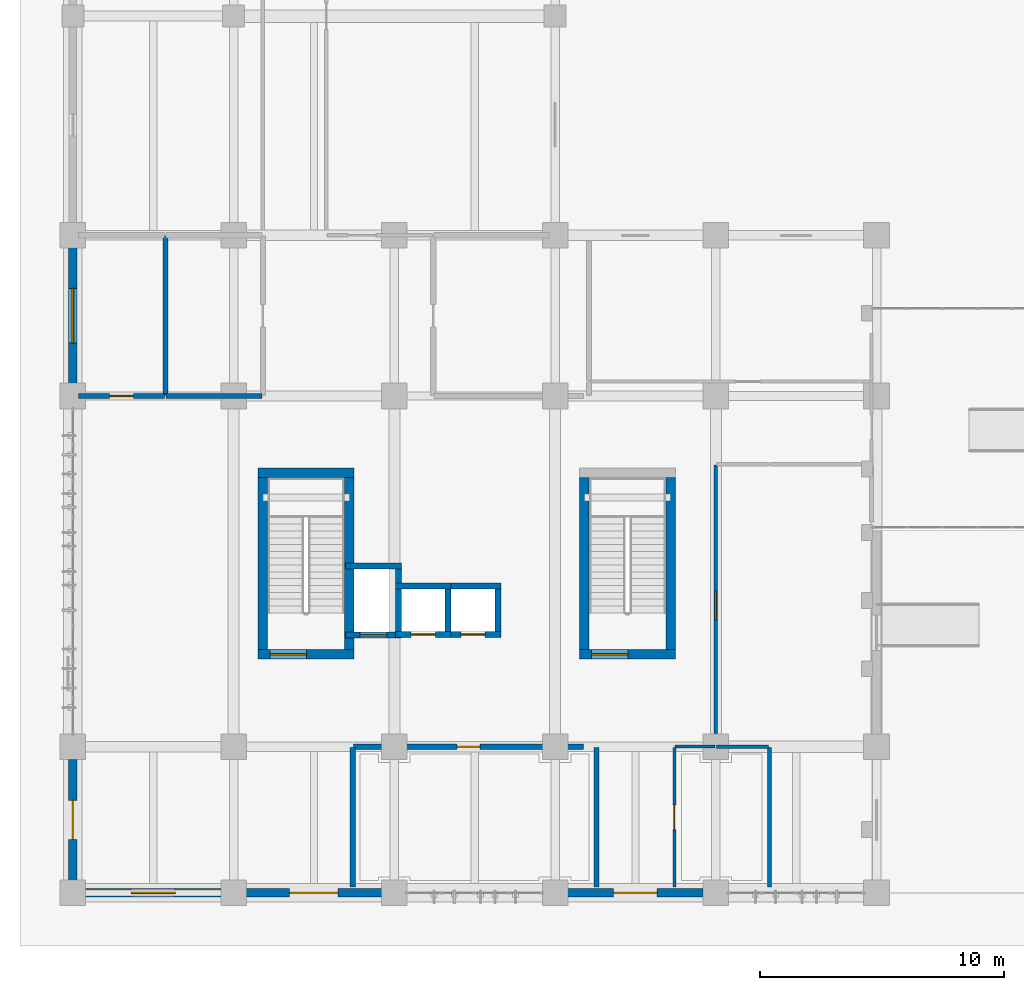
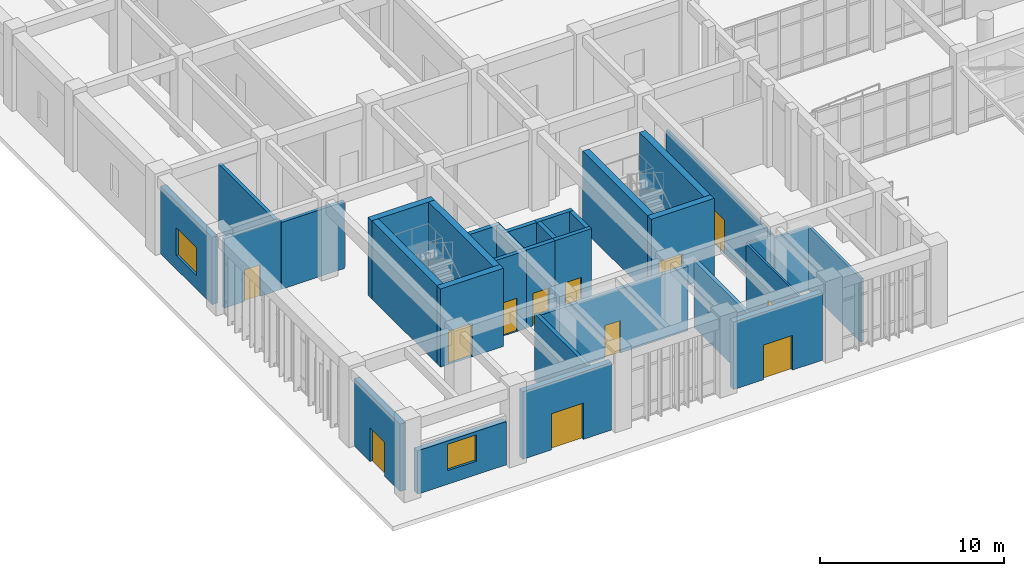
# One storey, part 48 of 70: 32 walls, 12 doors, 2 windows, 14 openings.
"""IFC4 building model written with IfcOpenShell, lengths in metres."""

import ifcopenshell
import ifcopenshell.guid

model = None  # the IFC model being written
_history = None  # IfcOwnerHistory: only IFC2X3 demands one
_inside = {}  # id of a spatial element -> (the spatial element, [elements in it])
_under = {}  # id of a project, library or spatial element -> (it, [spatial elements below it])
_declared = {}  # id of a project -> (the project, [libraries it declares])
_typed = {}  # id of a type object -> (the type object, [elements of that type])
_made_of = {}  # id of a material, layer set ... -> (it, [elements and type objects made of it])


def new_model(schema):
    """Start an empty IFC model of exactly this schema.

    Asked for "IFC4X3", IfcOpenShell would pick the latest addendum, in which some entities
    have other attributes; the version numbers below select the first issue.
    IFC2X3 requires an IfcOwnerHistory on every rooted entity: one is made here for all.
    """
    global model, _history
    if schema == "IFC4X3":
        model = ifcopenshell.file(schema_version=(4, 3, 0, 0))
    else:
        model = ifcopenshell.file(schema=schema)
    _inside.clear()
    _under.clear()
    _declared.clear()
    _typed.clear()
    _made_of.clear()
    _history = None
    if model.schema == "IFC2X3":
        org = make("IfcOrganization", Name="unknown")
        user = make(
            "IfcPersonAndOrganization",
            ThePerson=make("IfcPerson", FamilyName="unknown"),
            TheOrganization=org,
        )
        app = make(
            "IfcApplication",
            ApplicationDeveloper=org,
            Version="unknown",
            ApplicationFullName="unknown",
            ApplicationIdentifier="unknown",
        )
        _history = make(
            "IfcOwnerHistory",
            OwningUser=user,
            OwningApplication=app,
            ChangeAction="ADDED",
            CreationDate=0,
        )
    return model


def make(cls, **values):
    """One entity of the class cls with the attributes given. An attribute that is None is left unset."""
    return model.create_entity(
        cls, **{name: value for name, value in values.items() if value is not None}
    )


def rooted(cls, **values):
    """An entity with a GlobalId (a new one), such as an element, a storey or a relation."""
    return make(cls, GlobalId=ifcopenshell.guid.new(), OwnerHistory=_history, **values)


def si_unit(unit_type, name, prefix=None):
    """IfcSIUnit, for example si_unit("LENGTHUNIT", "METRE", prefix="MILLI")."""
    return make("IfcSIUnit", UnitType=unit_type, Prefix=prefix, Name=name)


def assignment(units):
    """IfcUnitAssignment: the units of a project."""
    return None if units is None else make("IfcUnitAssignment", Units=units)


def point(xyz):
    """IfcCartesianPoint."""
    return None if xyz is None else make("IfcCartesianPoint", Coordinates=xyz)


def direction(xyz):
    """IfcDirection."""
    return None if xyz is None else make("IfcDirection", DirectionRatios=xyz)


def frame(location, z_axis=None, x_axis=None):
    """IfcAxis2Placement3D, a coordinate frame: its origin and axes. An axis left out is left unset."""
    return make(
        "IfcAxis2Placement3D",
        Location=point(location),
        Axis=direction(z_axis),
        RefDirection=direction(x_axis),
    )


def frame_2d(location, x_axis=None):
    """IfcAxis2Placement2D, a coordinate frame in the plane: its origin and x axis."""
    return make(
        "IfcAxis2Placement2D", Location=point(location), RefDirection=direction(x_axis)
    )


def origin():
    """The frame at (0, 0, 0) with its axes left unset."""
    return frame((0.0, 0.0, 0.0))


def place(relative_to, where):
    """IfcLocalPlacement: puts the frame where relative to a parent placement (None: the world)."""
    return make(
        "IfcLocalPlacement", PlacementRelTo=relative_to, RelativePlacement=where
    )


def context(
    kind, dimensions, precision=None, world=None, true_north=None, identifier=None
):
    """IfcGeometricRepresentationContext, for example the 3D "Model" context."""
    return make(
        "IfcGeometricRepresentationContext",
        ContextIdentifier=identifier,
        ContextType=kind,
        CoordinateSpaceDimension=dimensions,
        Precision=precision,
        WorldCoordinateSystem=world,
        TrueNorth=true_north,
    )


def subcontext(parent, identifier, kind, view, scale=None):
    """IfcGeometricRepresentationSubContext, for example "Body" below "Model"."""
    return make(
        "IfcGeometricRepresentationSubContext",
        ContextIdentifier=identifier,
        ContextType=kind,
        ParentContext=parent,
        TargetScale=scale,
        TargetView=view,
    )


def project(units=None, contexts=None):
    """IfcProject with its units and contexts."""
    return rooted(
        "IfcProject",
        Name="project",
        RepresentationContexts=contexts,
        UnitsInContext=assignment(units),
    )


def spatial(cls, under=None, at=None, **own):
    """A site, building, storey or space (cls), placed at a placement, below another one or the project."""
    s = rooted(cls, ObjectPlacement=at, **own)
    if under is not None:
        _under.setdefault(under.id(), (under, []))[1].append(s)
    return s


def profile(cls, at=None, kind="AREA", **sizes):
    """A parametric profile (cls). Its sizes go by their IFC names, for example OverallWidth=200.0."""
    return make(cls, ProfileType=kind, Position=at, **sizes)


def rectangle(**sizes):
    """IfcRectangleProfileDef."""
    return profile("IfcRectangleProfileDef", **sizes)


def extrude(swept, where, along, depth):
    """IfcExtrudedAreaSolid: the profile swept, set in the frame where, extruded along a direction by depth."""
    return make(
        "IfcExtrudedAreaSolid",
        SweptArea=swept,
        Position=where,
        ExtrudedDirection=direction(along),
        Depth=depth,
    )


def shape(context_of_items, identifier, shape_type, items):
    """IfcShapeRepresentation: the items that make up one representation, for example the "Body"."""
    return make(
        "IfcShapeRepresentation",
        ContextOfItems=context_of_items,
        RepresentationIdentifier=identifier,
        RepresentationType=shape_type,
        Items=items,
    )


def material(Name=None, Category=None):
    """IfcMaterial."""
    return make("IfcMaterial", Name=Name, Category=Category)


def layer(
    of_material, thickness, ventilated=None, Name=None, Category=None, Priority=None
):
    """IfcMaterialLayer: one layer of a wall or slab, of a material (None: an air gap)."""
    return make(
        "IfcMaterialLayer",
        Material=of_material,
        LayerThickness=thickness,
        IsVentilated=ventilated,
        Name=Name,
        Category=Category,
        Priority=Priority,
    )


def layer_set(layers, Name=None):
    """IfcMaterialLayerSet."""
    return make("IfcMaterialLayerSet", MaterialLayers=layers, LayerSetName=Name)


def made_of(thing, what):
    """Note that an element or type object is made of a material, layer set ...; save() writes the relation."""
    if what is not None:
        _made_of.setdefault(what.id(), (what, []))[1].append(thing)
    return thing


def type_object(cls, material=None, **own):
    """A type object (cls), such as IfcWallType, which elements share."""
    return made_of(rooted(cls, **own), material)


def element(
    cls,
    number,
    at=None,
    inside=None,
    cuts=None,
    type_object=None,
    material=None,
    context=None,
    identifier="Body",
    shape_type=None,
    held_by="IfcProductDefinitionShape",
    body=None,
    shapes=None,
    **own,
):
    """One element of the class cls, such as IfcWall. Its Tag is "e" and its number.

    at: its placement. inside: the storey or other place that contains it. cuts: it is an
    opening in that element (IfcRelVoidsElement). A single representation is given by context,
    identifier, shape_type and body (its items); several are given by shapes. held_by: the class
    of the entity that holds the representations. save() writes the other relations.
    """
    e = rooted(cls, Tag="e%d" % number, ObjectPlacement=at, **own)
    if body is not None:
        shapes = [shape(context, identifier, shape_type, body)]
    if shapes is not None:
        e.Representation = make(held_by, Representations=shapes)
    if inside is not None:
        _inside.setdefault(inside.id(), (inside, []))[1].append(e)
    if cuts is not None:
        rooted(
            "IfcRelVoidsElement", RelatingBuildingElement=cuts, RelatedOpeningElement=e
        )
    if type_object is not None:
        _typed.setdefault(type_object.id(), (type_object, []))[1].append(e)
    return made_of(e, material)


def fill(opening, filler):
    """IfcRelFillsElement: the door or window that sits in an opening."""
    return rooted(
        "IfcRelFillsElement",
        RelatingOpeningElement=opening,
        RelatedBuildingElement=filler,
    )


def aggregate(whole, parts):
    """IfcRelAggregates: a whole, such as a stair, and the parts it consists of."""
    return rooted("IfcRelAggregates", RelatingObject=whole, RelatedObjects=parts)


def save(model, path):
    """Write the relations noted so far, then the file.

    IfcRelAggregates (storeys below a building ...), IfcRelContainedInSpatialStructure (elements
    in a storey), IfcRelDefinesByType, IfcRelAssociatesMaterial and IfcRelDeclares: one each for
    every whole, place, type object, material and project.
    """
    for whole, parts in _under.values():
        aggregate(whole, parts)
    for where, things in _inside.values():
        rooted(
            "IfcRelContainedInSpatialStructure",
            RelatedElements=things,
            RelatingStructure=where,
        )
    for kind, things in _typed.values():
        rooted("IfcRelDefinesByType", RelatedObjects=things, RelatingType=kind)
    for what, things in _made_of.values():
        rooted("IfcRelAssociatesMaterial", RelatedObjects=things, RelatingMaterial=what)
    for by, libraries in _declared.values():
        rooted("IfcRelDeclares", RelatingContext=by, RelatedDefinitions=libraries)
    model.write(path)


model = new_model("IFC4")

# Units and contexts
model_context = context("Model", 3, precision=1e-05, world=origin(), true_north=direction((0.0, 1.0)))
body_context = subcontext(model_context, "Body", "Model", "MODEL_VIEW")
ifc_project = project(units=[si_unit("LENGTHUNIT", "METRE"), si_unit("AREAUNIT", "SQUARE_METRE"), si_unit("VOLUMEUNIT", "CUBIC_METRE"), si_unit("PLANEANGLEUNIT", "RADIAN"), si_unit("MASSUNIT", "GRAM", prefix="KILO")], contexts=[model_context])

# Site, building, storey
site_placement = place(None, origin())
site = spatial("IfcSite", under=ifc_project, at=site_placement, CompositionType="ELEMENT")
building_placement = place(site_placement, origin())
building = spatial("IfcBuilding", under=site, at=building_placement, Name="Miralva Faculty of Natural Sciences", CompositionType="ELEMENT")
storey_placement = place(building_placement, origin())
storey = spatial("IfcBuildingStorey", under=building, at=storey_placement, Name="L00", CompositionType="ELEMENT", Elevation=0.0)

# Wall, opening, door
ifc_material_1 = material(Name="Concrete C50/60", Category="concrete")
ifc_layer_1 = layer(ifc_material_1, 0.39990234375, Name="WL-CW01")
ifc_layer_set_1 = layer_set([ifc_layer_1], Name="Concrete C50/60")
wall_type_1 = type_object("IfcWallType", Name="WL-CW01", PredefinedType="SHEAR", material=ifc_layer_set_1)
wall_1_placement = place(storey_placement, frame((10.60009765625, 12.800048828125, 0.0), z_axis=(0.0, 0.0, 1.0), x_axis=(1.0, 0.0, 0.0)))
wall_1 = element("IfcWall", 1, at=wall_1_placement, inside=storey, type_object=wall_type_1, Name="Core C1 shear wall south L00", PredefinedType="SHEAR", context=body_context, shape_type="SweptSolid", body=[
    extrude(rectangle(XDim=3.949951171875, YDim=0.39990234375, at=frame_2d((1.97509765625, 0.0))), origin(), (0.0, 0.0, 1.0), 5.179931640625),
])
opening_1_placement = place(wall_1_placement, frame((0.5, 0.0, 0.0)))
opening_1 = element("IfcOpeningElement", 2, at=opening_1_placement, cuts=wall_1, Name="Opening D-11", PredefinedType="OPENING", context=body_context, shape_type="SweptSolid", body=[
    extrude(rectangle(XDim=1.5, YDim=2.199951171875, at=frame_2d((0.75, 1.10009765625))), frame((0.0, 0.2099609375, 0.0), z_axis=(0.0, -1.0, 0.0), x_axis=(1.0, 0.0, 0.0)), (0.0, 0.0, 1.0), 0.419921875),
])
ifc_material_2 = material(Name="Galvanised steel", Category="steel")
door_type_1 = type_object("IfcDoorType", Name="DR-DI11", OperationType="DOUBLE_DOOR_SINGLE_SWING", PredefinedType="DOOR", material=ifc_material_2)
door_1_placement = place(opening_1_placement, frame((1.5, 0.0, 0.0), z_axis=(0.0, 0.0, 1.0), x_axis=(-1.0, 0.0, 0.0)))
door_1 = element("IfcDoor", 3, at=door_1_placement, inside=storey, type_object=door_type_1, Name="Protected exit stair door Core C1 L00", OperationType="DOUBLE_DOOR_SINGLE_SWING", OverallHeight=2.199951171875, OverallWidth=1.5, PredefinedType="DOOR", context=body_context, shape_type="SweptSolid", body=[
    extrude(rectangle(XDim=1.5, YDim=2.199951171875, at=frame_2d((0.75, 1.10009765625))), frame((0.0, 0.02490234375, 0.0), z_axis=(0.0, -1.0, 0.0), x_axis=(1.0, 0.0, 0.0)), (0.0, 0.0, 1.0), 0.050048828125),
])
fill(opening_1, door_1)

# Walls
wall_2_placement = place(storey_placement, frame((10.60009765625, 20.25, 0.0), z_axis=(0.0, 0.0, 1.0), x_axis=(1.0, 0.0, 0.0)))
element("IfcWall", 4, at=wall_2_placement, inside=storey, type_object=wall_type_1, Name="Core C1 shear wall north L00", PredefinedType="SHEAR", context=body_context, shape_type="SweptSolid", body=[
    extrude(rectangle(XDim=3.949951171875, YDim=0.39990234375, at=frame_2d((1.97509765625, 0.0))), origin(), (0.0, 0.0, 1.0), 5.179931640625),
])
for number, where, z_axis, x_axis, name in (
    (5, (10.800048828125, 13.0, 0.0), (0.0, 0.0, 1.0), (0.0, 1.0, 0.0), "Core C1 shear wall west L00"),
    (6, (14.35009765625, 13.0, 0.0), (0.0, 0.0, 1.0), (0.0, 1.0, 0.0), "Core C1 shear wall east L00"),
):
    element("IfcWall", number, at=place(storey_placement, frame(where, z_axis=z_axis, x_axis=x_axis)), inside=storey, type_object=wall_type_1, Name=name, PredefinedType="SHEAR", context=body_context, shape_type="SweptSolid", body=[
        extrude(rectangle(XDim=7.050048828125, YDim=0.39990234375, at=frame_2d((3.52490234375, 0.0))), origin(), (0.0, 0.0, 1.0), 5.179931640625),
    ])

# Wall, opening, door
wall_3_placement = place(storey_placement, frame((23.800048828125, 12.800048828125, 0.0), z_axis=(0.0, 0.0, 1.0), x_axis=(1.0, 0.0, 0.0)))
wall_3 = element("IfcWall", 7, at=wall_3_placement, inside=storey, type_object=wall_type_1, Name="Core C1B shear wall south L00", PredefinedType="SHEAR", context=body_context, shape_type="SweptSolid", body=[
    extrude(rectangle(XDim=3.949951171875, YDim=0.39990234375, at=frame_2d((1.97509765625, 0.0))), origin(), (0.0, 0.0, 1.0), 5.179931640625),
])
opening_2_placement = place(wall_3_placement, frame((0.5, 0.0, 0.0)))
opening_2 = element("IfcOpeningElement", 8, at=opening_2_placement, cuts=wall_3, Name="Opening D-11", PredefinedType="OPENING", context=body_context, shape_type="SweptSolid", body=[
    extrude(rectangle(XDim=1.5, YDim=2.199951171875, at=frame_2d((0.75, 1.10009765625))), frame((0.0, 0.2099609375, 0.0), z_axis=(0.0, -1.0, 0.0), x_axis=(1.0, 0.0, 0.0)), (0.0, 0.0, 1.0), 0.419921875),
])
door_2_placement = place(opening_2_placement, frame((1.5, 0.0, 0.0), z_axis=(0.0, 0.0, 1.0), x_axis=(-1.0, 0.0, 0.0)))
door_2 = element("IfcDoor", 9, at=door_2_placement, inside=storey, type_object=door_type_1, Name="Protected exit stair door Core C1B L00", OperationType="DOUBLE_DOOR_SINGLE_SWING", OverallHeight=2.199951171875, OverallWidth=1.5, PredefinedType="DOOR", context=body_context, shape_type="SweptSolid", body=[
    extrude(rectangle(XDim=1.5, YDim=2.199951171875, at=frame_2d((0.75, 1.10009765625))), frame((0.0, 0.02490234375, 0.0), z_axis=(0.0, -1.0, 0.0), x_axis=(1.0, 0.0, 0.0)), (0.0, 0.0, 1.0), 0.050048828125),
])
fill(opening_2, door_2)

# Walls
for number, where, z_axis, x_axis, name in (
    (10, (24.0, 13.0, 0.0), (0.0, 0.0, 1.0), (0.0, 1.0, 0.0), "Core C1B shear wall west L00"),
    (11, (27.550048828125, 13.0, 0.0), (0.0, 0.0, 1.0), (0.0, 1.0, 0.0), "Core C1B shear wall east L00"),
):
    element("IfcWall", number, at=place(storey_placement, frame(where, z_axis=z_axis, x_axis=x_axis)), inside=storey, type_object=wall_type_1, Name=name, PredefinedType="SHEAR", context=body_context, shape_type="SweptSolid", body=[
        extrude(rectangle(XDim=7.050048828125, YDim=0.39990234375, at=frame_2d((3.52490234375, 0.0))), origin(), (0.0, 0.0, 1.0), 5.179931640625),
    ])

# Wall, opening, door
ifc_material_3 = material(Name="Concrete C40/50", Category="concrete")
ifc_layer_2 = layer(ifc_material_3, 0.25, Name="WL-CW04")
ifc_layer_set_2 = layer_set([ifc_layer_2], Name="Concrete C40/50")
wall_type_2 = type_object("IfcWallType", Name="WL-CW04", PredefinedType="SHEAR", material=ifc_layer_set_2)
wall_4_placement = place(storey_placement, frame((14.205078125, 13.580078125, 0.0), z_axis=(0.0, 0.0, 1.0), x_axis=(1.0, 0.0, 0.0)))
wall_4 = element("IfcWall", 12, at=wall_4_placement, inside=storey, type_object=wall_type_2, Name="Lift L-01 hoistway front wall L00", PredefinedType="SHEAR", context=body_context, shape_type="SweptSolid", body=[
    extrude(rectangle(XDim=2.2900390625, YDim=0.25, at=frame_2d((1.14501953125, 0.0))), origin(), (0.0, 0.0, 1.0), 5.159912109375),
])
opening_3_placement = place(wall_4_placement, frame((0.594970703125, 0.0, 0.0)))
opening_3 = element("IfcOpeningElement", 13, at=opening_3_placement, cuts=wall_4, Name="Opening LD-01", PredefinedType="OPENING", context=body_context, shape_type="SweptSolid", body=[
    extrude(rectangle(XDim=1.10009765625, YDim=2.199951171875, at=frame_2d((0.550048828125, 1.10009765625))), frame((0.0, 0.135009765625, 0.0), z_axis=(0.0, -1.0, 0.0), x_axis=(1.0, 0.0, 0.0)), (0.0, 0.0, 1.0), 0.27001953125),
])
door_type_2 = type_object("IfcDoorType", Name="DR-LD01", OperationType="SLIDING_TO_LEFT", PredefinedType="DOOR", material=ifc_material_2)
door_3_placement = place(opening_3_placement, frame((1.10009765625, 0.0, 0.0), z_axis=(0.0, 0.0, 1.0), x_axis=(-1.0, 0.0, 0.0)))
door_3 = element("IfcDoor", 14, at=door_3_placement, inside=storey, type_object=door_type_2, Name="Lift L-01 sliding landing door L00", OperationType="SLIDING_TO_LEFT", OverallHeight=2.199951171875, OverallWidth=1.10009765625, PredefinedType="DOOR", context=body_context, shape_type="SweptSolid", body=[
    extrude(rectangle(XDim=1.10009765625, YDim=2.199951171875, at=frame_2d((0.550048828125, 1.10009765625))), frame((0.0, 0.02490234375, 0.0), z_axis=(0.0, -1.0, 0.0), x_axis=(1.0, 0.0, 0.0)), (0.0, 0.0, 1.0), 0.050048828125),
])
fill(opening_3, door_3)

# Walls
wall_5_placement = place(storey_placement, frame((14.205078125, 16.419921875, 0.0), z_axis=(0.0, 0.0, 1.0), x_axis=(1.0, 0.0, 0.0)))
element("IfcWall", 15, at=wall_5_placement, inside=storey, type_object=wall_type_2, Name="Lift L-01 hoistway rear wall L00", PredefinedType="SHEAR", context=body_context, shape_type="SweptSolid", body=[
    extrude(rectangle(XDim=2.2900390625, YDim=0.25, at=frame_2d((1.14501953125, 0.0))), origin(), (0.0, 0.0, 1.0), 5.159912109375),
])
wall_6_placement = place(storey_placement, frame((16.3701171875, 13.705078125, 0.0), z_axis=(0.0, 0.0, 1.0), x_axis=(0.0, 1.0, 0.0)))
element("IfcWall", 16, at=wall_6_placement, inside=storey, type_object=wall_type_2, Name="Lift L-01 hoistway E wall L00", PredefinedType="SHEAR", context=body_context, shape_type="SweptSolid", body=[
    extrude(rectangle(XDim=2.58984375, YDim=0.25, at=frame_2d((1.294921875, 0.0))), origin(), (0.0, 0.0, 1.0), 5.159912109375),
])

# Wall, opening, door
wall_7_placement = place(storey_placement, frame((16.2451171875, 13.60498046875, 0.0), z_axis=(0.0, 0.0, 1.0), x_axis=(1.0, 0.0, 0.0)))
wall_7 = element("IfcWall", 17, at=wall_7_placement, inside=storey, type_object=wall_type_2, Name="Lift L-02 hoistway front wall L00", PredefinedType="SHEAR", context=body_context, shape_type="SweptSolid", body=[
    extrude(rectangle(XDim=2.289794921875, YDim=0.25, at=frame_2d((1.14501953125, 0.0))), origin(), (0.0, 0.0, 1.0), 5.159912109375),
])
opening_4_placement = place(wall_7_placement, frame((0.64501953125, 0.0, 0.0)))
opening_4 = element("IfcOpeningElement", 18, at=opening_4_placement, cuts=wall_7, Name="Opening LD-02", PredefinedType="OPENING", context=body_context, shape_type="SweptSolid", body=[
    extrude(rectangle(XDim=1.0, YDim=2.14990234375, at=frame_2d((0.5, 1.074951171875))), frame((0.0, 0.135009765625, 0.0), z_axis=(0.0, -1.0, 0.0), x_axis=(1.0, 0.0, 0.0)), (0.0, 0.0, 1.0), 0.27001953125),
])
door_type_3 = type_object("IfcDoorType", Name="DR-LD02", OperationType="SLIDING_TO_LEFT", PredefinedType="DOOR", material=ifc_material_2)
door_4_placement = place(opening_4_placement, frame((1.0, 0.0, 0.0), z_axis=(0.0, 0.0, 1.0), x_axis=(-1.0, 0.0, 0.0)))
door_4 = element("IfcDoor", 19, at=door_4_placement, inside=storey, type_object=door_type_3, Name="Lift L-02 sliding landing door L00", OperationType="SLIDING_TO_LEFT", OverallHeight=2.14990234375, OverallWidth=1.0, PredefinedType="DOOR", context=body_context, shape_type="SweptSolid", body=[
    extrude(rectangle(XDim=1.0, YDim=2.14990234375, at=frame_2d((0.5, 1.074951171875))), frame((0.0, 0.02490234375, 0.0), z_axis=(0.0, -1.0, 0.0), x_axis=(1.0, 0.0, 0.0)), (0.0, 0.0, 1.0), 0.050048828125),
])
fill(opening_4, door_4)

# Walls
wall_8_placement = place(storey_placement, frame((16.2451171875, 15.594970703125, 0.0), z_axis=(0.0, 0.0, 1.0), x_axis=(1.0, 0.0, 0.0)))
element("IfcWall", 20, at=wall_8_placement, inside=storey, type_object=wall_type_2, Name="Lift L-02 hoistway rear wall L00", PredefinedType="SHEAR", context=body_context, shape_type="SweptSolid", body=[
    extrude(rectangle(XDim=2.289794921875, YDim=0.25, at=frame_2d((1.14501953125, 0.0))), origin(), (0.0, 0.0, 1.0), 5.159912109375),
])
wall_9_placement = place(storey_placement, frame((18.409912109375, 13.72998046875, 0.0), z_axis=(0.0, 0.0, 1.0), x_axis=(0.0, 1.0, 0.0)))
element("IfcWall", 21, at=wall_9_placement, inside=storey, type_object=wall_type_2, Name="Lift L-02 hoistway E wall L00", PredefinedType="SHEAR", context=body_context, shape_type="SweptSolid", body=[
    extrude(rectangle(XDim=1.739990234375, YDim=0.25, at=frame_2d((0.8701171875, 0.0))), origin(), (0.0, 0.0, 1.0), 5.159912109375),
])

# Wall, opening, door
wall_10_placement = place(storey_placement, frame((18.284912109375, 13.60498046875, 0.0), z_axis=(0.0, 0.0, 1.0), x_axis=(1.0, 0.0, 0.0)))
wall_10 = element("IfcWall", 22, at=wall_10_placement, inside=storey, type_object=wall_type_2, Name="Lift L-03 hoistway front wall L00", PredefinedType="SHEAR", context=body_context, shape_type="SweptSolid", body=[
    extrude(rectangle(XDim=2.2900390625, YDim=0.25, at=frame_2d((1.14501953125, 0.0))), origin(), (0.0, 0.0, 1.0), 5.159912109375),
])
opening_5_placement = place(wall_10_placement, frame((0.64501953125, 0.0, 0.0)))
opening_5 = element("IfcOpeningElement", 23, at=opening_5_placement, cuts=wall_10, Name="Opening LD-02", PredefinedType="OPENING", context=body_context, shape_type="SweptSolid", body=[
    extrude(rectangle(XDim=1.0, YDim=2.14990234375, at=frame_2d((0.5, 1.074951171875))), frame((0.0, 0.135009765625, 0.0), z_axis=(0.0, -1.0, 0.0), x_axis=(1.0, 0.0, 0.0)), (0.0, 0.0, 1.0), 0.27001953125),
])
door_5_placement = place(opening_5_placement, frame((1.0, 0.0, 0.0), z_axis=(0.0, 0.0, 1.0), x_axis=(-1.0, 0.0, 0.0)))
door_5 = element("IfcDoor", 24, at=door_5_placement, inside=storey, type_object=door_type_3, Name="Lift L-03 sliding landing door L00", OperationType="SLIDING_TO_LEFT", OverallHeight=2.14990234375, OverallWidth=1.0, PredefinedType="DOOR", context=body_context, shape_type="SweptSolid", body=[
    extrude(rectangle(XDim=1.0, YDim=2.14990234375, at=frame_2d((0.5, 1.074951171875))), frame((0.0, 0.02490234375, 0.0), z_axis=(0.0, -1.0, 0.0), x_axis=(1.0, 0.0, 0.0)), (0.0, 0.0, 1.0), 0.050048828125),
])
fill(opening_5, door_5)

# Walls
wall_11_placement = place(storey_placement, frame((18.284912109375, 15.594970703125, 0.0), z_axis=(0.0, 0.0, 1.0), x_axis=(1.0, 0.0, 0.0)))
element("IfcWall", 25, at=wall_11_placement, inside=storey, type_object=wall_type_2, Name="Lift L-03 hoistway rear wall L00", PredefinedType="SHEAR", context=body_context, shape_type="SweptSolid", body=[
    extrude(rectangle(XDim=2.2900390625, YDim=0.25, at=frame_2d((1.14501953125, 0.0))), origin(), (0.0, 0.0, 1.0), 5.159912109375),
])
wall_12_placement = place(storey_placement, frame((20.449951171875, 13.72998046875, 0.0), z_axis=(0.0, 0.0, 1.0), x_axis=(0.0, 1.0, 0.0)))
element("IfcWall", 26, at=wall_12_placement, inside=storey, type_object=wall_type_2, Name="Lift L-03 hoistway E wall L00", PredefinedType="SHEAR", context=body_context, shape_type="SweptSolid", body=[
    extrude(rectangle(XDim=1.739990234375, YDim=0.25, at=frame_2d((0.8701171875, 0.0))), origin(), (0.0, 0.0, 1.0), 5.159912109375),
])
ifc_material_4 = material(Name="Concrete C35/45", Category="concrete")
ifc_layer_3 = layer(ifc_material_4, 0.219970703125, Name="WL-PT01")
ifc_layer_set_3 = layer_set([ifc_layer_3], Name="Concrete C35/45")
wall_type_3 = type_object("IfcWallType", Name="WL-PT01", PredefinedType="PARTITIONING", material=ifc_layer_set_3)
for number, where, z_axis, x_axis, name in (
    (27, (24.5, 3.22998046875, 0.0), (0.0, 0.0, 1.0), (0.0, 1.0, 0.0), "Interior partition PT-01 L00-38"),
    (28, (14.5, 3.22998046875, 0.0), (0.0, 0.0, 1.0), (0.0, 1.0, 0.0), "Interior partition PT-01 L00-39"),
):
    element("IfcWall", number, at=place(storey_placement, frame(where, z_axis=z_axis, x_axis=x_axis)), inside=storey, type_object=wall_type_3, Name=name, PredefinedType="PARTITIONING", context=body_context, shape_type="SweptSolid", body=[
        extrude(rectangle(XDim=5.739990234375, YDim=0.219970703125, at=frame_2d((2.8701171875, 0.0))), origin(), (0.0, 0.0, 1.0), 4.425048828125),
    ])

# Wall, opening, door
wall_13_placement = place(storey_placement, frame((14.530029296875, 9.0, 0.0), z_axis=(0.0, 0.0, 1.0), x_axis=(1.0, 0.0, 0.0)))
wall_13 = element("IfcWall", 29, at=wall_13_placement, inside=storey, type_object=wall_type_3, Name="Interior partition PT-01 L00-40", PredefinedType="PARTITIONING", context=body_context, shape_type="SweptSolid", body=[
    extrude(rectangle(XDim=9.43994140625, YDim=0.219970703125, at=frame_2d((4.719970703125, 0.0))), origin(), (0.0, 0.0, 1.0), 4.2548828125),
])
opening_6_placement = place(wall_13_placement, frame((4.2451171875, 0.0, 0.0)))
opening_6 = element("IfcOpeningElement", 30, at=opening_6_placement, cuts=wall_13, Name="Opening D-17", PredefinedType="OPENING", context=body_context, shape_type="SweptSolid", body=[
    extrude(rectangle(XDim=0.949951171875, YDim=2.14990234375, at=frame_2d((0.47509765625, 1.074951171875))), frame((0.0, 0.119873046875, 0.0), z_axis=(0.0, -1.0, 0.0), x_axis=(1.0, 0.0, 0.0)), (0.0, 0.0, 1.0), 0.239990234375),
])
door_type_4 = type_object("IfcDoorType", Name="DR-DI17", OperationType="NOTDEFINED", PredefinedType="DOOR", material=ifc_material_2)
door_6_placement = place(opening_6_placement, origin())
door_6 = element("IfcDoor", 31, at=door_6_placement, inside=storey, type_object=door_type_4, Name="Interior door D-17 L00-19", OperationType="SINGLE_SWING_RIGHT", OverallHeight=2.14990234375, OverallWidth=0.949951171875, PredefinedType="DOOR", context=body_context, shape_type="SweptSolid", body=[
    extrude(rectangle(XDim=0.949951171875, YDim=2.14990234375, at=frame_2d((0.47509765625, 1.074951171875))), frame((0.0, 0.02490234375, 0.0), z_axis=(0.0, -1.0, 0.0), x_axis=(1.0, 0.0, 0.0)), (0.0, 0.0, 1.0), 0.050048828125),
])
fill(opening_6, door_6)

# Walls
ifc_material_5 = material(Name="Gypsum plasterboard")
ifc_layer_4 = layer(ifc_material_5, 0.159912109375, Name="WL-PT03")
ifc_layer_set_4 = layer_set([ifc_layer_4], Name="Gypsum plasterboard")
wall_type_4 = type_object("IfcWallType", Name="WL-PT03", PredefinedType="PARTITIONING", material=ifc_layer_set_4)
wall_14_placement = place(storey_placement, frame((29.429931640625, 9.0, 0.0), z_axis=(0.0, 0.0, 1.0), x_axis=(1.0, 0.0, 0.0)))
element("IfcWall", 32, at=wall_14_placement, inside=storey, type_object=wall_type_4, Name="Interior partition PT-03 L00-41", PredefinedType="PARTITIONING", context=body_context, shape_type="SweptSolid", body=[
    extrude(rectangle(XDim=2.14013671875, YDim=0.159912109375, at=frame_2d((1.070068359375, 0.0))), origin(), (0.0, 0.0, 1.0), 4.215087890625),
])
wall_15_placement = place(storey_placement, frame((31.60009765625, 3.22998046875, 0.0), z_axis=(0.0, 0.0, 1.0), x_axis=(0.0, 1.0, 0.0)))
element("IfcWall", 33, at=wall_15_placement, inside=storey, type_object=wall_type_4, Name="Interior partition PT-03 L00-42", PredefinedType="PARTITIONING", context=body_context, shape_type="SweptSolid", body=[
    extrude(rectangle(XDim=5.739990234375, YDim=0.159912109375, at=frame_2d((2.8701171875, 0.0))), origin(), (0.0, 0.0, 1.0), 4.215087890625),
])

# Wall, opening, door
wall_16_placement = place(storey_placement, frame((29.39990234375, 9.030029296875, 0.0), z_axis=(0.0, 0.0, 1.0), x_axis=(0.0, 1.0, 0.0)))
wall_16 = element("IfcWall", 34, at=wall_16_placement, inside=storey, type_object=wall_type_4, Name="Interior partition PT-03 L00-45", PredefinedType="PARTITIONING", context=body_context, shape_type="SweptSolid", body=[
    extrude(rectangle(XDim=11.5400390625, YDim=0.159912109375, at=frame_2d((5.77001953125, 0.0))), origin(), (0.0, 0.0, 1.0), 4.324951171875),
])
opening_7_placement = place(wall_16_placement, frame((5.179931640625, 0.0, 0.0)))
opening_7 = element("IfcOpeningElement", 35, at=opening_7_placement, cuts=wall_16, Name="Opening D-34", PredefinedType="OPENING", context=body_context, shape_type="SweptSolid", body=[
    extrude(rectangle(XDim=1.179931640625, YDim=2.199951171875, at=frame_2d((0.58984375, 1.10009765625))), frame((0.0, 0.08984375, 0.0), z_axis=(0.0, -1.0, 0.0), x_axis=(1.0, 0.0, 0.0)), (0.0, 0.0, 1.0), 0.179931640625),
])
ifc_material_6 = material(Name="Anodised aluminium", Category="aluminium")
door_type_5 = type_object("IfcDoorType", Name="DR-DI34", OperationType="NOTDEFINED", PredefinedType="DOOR", material=ifc_material_6)
door_7_placement = place(opening_7_placement, origin())
door_7 = element("IfcDoor", 36, at=door_7_placement, inside=storey, type_object=door_type_5, Name="Interior door D-34 L00-21", OperationType="SINGLE_SWING_RIGHT", OverallHeight=2.199951171875, OverallWidth=1.179931640625, PredefinedType="DOOR", context=body_context, shape_type="SweptSolid", body=[
    extrude(rectangle(XDim=1.179931640625, YDim=2.199951171875, at=frame_2d((0.58984375, 1.10009765625))), frame((0.0, 0.02490234375, 0.0), z_axis=(0.0, -1.0, 0.0), x_axis=(1.0, 0.0, 0.0)), (0.0, 0.0, 1.0), 0.050048828125),
])
fill(opening_7, door_7)

ifc_layer_5 = layer(ifc_material_5, 0.125, Name="WL-PT05")
ifc_layer_set_5 = layer_set([ifc_layer_5], Name="Gypsum plasterboard")
wall_type_5 = type_object("IfcWallType", Name="WL-PT05", PredefinedType="PARTITIONING", material=ifc_layer_set_5)
wall_17_placement = place(storey_placement, frame((27.699951171875, 3.22998046875, 0.0), z_axis=(0.0, 0.0, 1.0), x_axis=(0.0, 1.0, 0.0)))
wall_17 = element("IfcWall", 37, at=wall_17_placement, inside=storey, type_object=wall_type_5, Name="Interior partition PT-05 L00-43", PredefinedType="PARTITIONING", context=body_context, shape_type="SweptSolid", body=[
    extrude(rectangle(XDim=5.739990234375, YDim=0.125, at=frame_2d((2.8701171875, 0.0))), origin(), (0.0, 0.0, 1.0), 4.425048828125),
])
opening_8_placement = place(wall_17_placement, frame((2.3701171875, 0.0, 0.0)))
opening_8 = element("IfcOpeningElement", 38, at=opening_8_placement, cuts=wall_17, Name="Opening D-25", PredefinedType="OPENING", context=body_context, shape_type="SweptSolid", body=[
    extrude(rectangle(XDim=1.0, YDim=2.14990234375, at=frame_2d((0.5, 1.074951171875))), frame((0.0, 0.072509765625, 0.0), z_axis=(0.0, -1.0, 0.0), x_axis=(1.0, 0.0, 0.0)), (0.0, 0.0, 1.0), 0.14501953125),
])
door_type_6 = type_object("IfcDoorType", Name="DR-DI25", OperationType="NOTDEFINED", PredefinedType="DOOR", material=ifc_material_6)
door_8_placement = place(opening_8_placement, origin())
door_8 = element("IfcDoor", 39, at=door_8_placement, inside=storey, type_object=door_type_6, Name="Interior door D-25 L00-20", OperationType="SINGLE_SWING_LEFT", OverallHeight=2.14990234375, OverallWidth=1.0, PredefinedType="DOOR", context=body_context, shape_type="SweptSolid", body=[
    extrude(rectangle(XDim=1.0, YDim=2.14990234375, at=frame_2d((0.5, 1.074951171875))), frame((0.0, 0.02490234375, 0.0), z_axis=(0.0, -1.0, 0.0), x_axis=(1.0, 0.0, 0.0)), (0.0, 0.0, 1.0), 0.050048828125),
])
fill(opening_8, door_8)

# Walls
wall_18_placement = place(storey_placement, frame((27.72998046875, 9.0, 0.0), z_axis=(0.0, 0.0, 1.0), x_axis=(1.0, 0.0, 0.0)))
element("IfcWall", 40, at=wall_18_placement, inside=storey, type_object=wall_type_5, Name="Interior partition PT-05 L00-44", PredefinedType="PARTITIONING", context=body_context, shape_type="SweptSolid", body=[
    extrude(rectangle(XDim=1.64013671875, YDim=0.125, at=frame_2d((0.820068359375, 0.0))), origin(), (0.0, 0.0, 1.0), 4.425048828125),
])
ifc_layer_6 = layer(ifc_material_5, 0.2099609375, Name="WL-PT06")
ifc_layer_set_6 = layer_set([ifc_layer_6], Name="Gypsum plasterboard")
wall_type_6 = type_object("IfcWallType", Name="WL-PT06", PredefinedType="PLUMBINGWALL", material=ifc_layer_set_6)
wall_19_placement = place(storey_placement, frame((6.800048828125, 23.429931640625, 0.0), z_axis=(0.0, 0.0, 1.0), x_axis=(0.0, 1.0, 0.0)))
element("IfcWall", 41, at=wall_19_placement, inside=storey, type_object=wall_type_6, Name="Interior partition PT-06 L00-49", PredefinedType="PLUMBINGWALL", context=body_context, shape_type="SweptSolid", body=[
    extrude(rectangle(XDim=6.5400390625, YDim=0.2099609375, at=frame_2d((3.27001953125, 0.0))), origin(), (0.0, 0.0, 1.0), 4.324951171875),
])

# Wall, opening, door
wall_20_placement = place(storey_placement, frame((3.22998046875, 23.39990234375, 0.0), z_axis=(0.0, 0.0, 1.0), x_axis=(1.0, 0.0, 0.0)))
wall_20 = element("IfcWall", 42, at=wall_20_placement, inside=storey, type_object=wall_type_6, Name="Interior partition PT-06 L00-50", PredefinedType="PLUMBINGWALL", context=body_context, shape_type="SweptSolid", body=[
    extrude(rectangle(XDim=3.5400390625, YDim=0.2099609375, at=frame_2d((1.77001953125, 0.0))), origin(), (0.0, 0.0, 1.0), 4.594970703125),
])
opening_9_placement = place(wall_20_placement, frame((1.280029296875, 0.0, 0.0)))
opening_9 = element("IfcOpeningElement", 43, at=opening_9_placement, cuts=wall_20, Name="Opening D-26", PredefinedType="OPENING", context=body_context, shape_type="SweptSolid", body=[
    extrude(rectangle(XDim=0.97998046875, YDim=2.10009765625, at=frame_2d((0.489990234375, 1.050048828125))), frame((0.0, 0.114990234375, 0.0), z_axis=(0.0, -1.0, 0.0), x_axis=(1.0, 0.0, 0.0)), (0.0, 0.0, 1.0), 0.22998046875),
])
door_type_7 = type_object("IfcDoorType", Name="DR-DI26", OperationType="NOTDEFINED", PredefinedType="DOOR", material=ifc_material_6)
door_9_placement = place(opening_9_placement, origin())
door_9 = element("IfcDoor", 44, at=door_9_placement, inside=storey, type_object=door_type_7, Name="Interior door D-26 L00-22", OperationType="SINGLE_SWING_LEFT", OverallHeight=2.10009765625, OverallWidth=0.97998046875, PredefinedType="DOOR", context=body_context, shape_type="SweptSolid", body=[
    extrude(rectangle(XDim=0.97998046875, YDim=2.10009765625, at=frame_2d((0.489990234375, 1.050048828125))), frame((0.0, 0.02490234375, 0.0), z_axis=(0.0, -1.0, 0.0), x_axis=(1.0, 0.0, 0.0)), (0.0, 0.0, 1.0), 0.050048828125),
])
fill(opening_9, door_9)

# Wall
wall_21_placement = place(storey_placement, frame((6.830078125, 23.39990234375, 0.0), z_axis=(0.0, 0.0, 1.0), x_axis=(1.0, 0.0, 0.0)))
element("IfcWall", 45, at=wall_21_placement, inside=storey, type_object=wall_type_6, Name="Interior partition PT-06 L00-52", PredefinedType="PLUMBINGWALL", context=body_context, shape_type="SweptSolid", body=[
    extrude(rectangle(XDim=3.93994140625, YDim=0.2099609375, at=frame_2d((1.969970703125, 0.0))), origin(), (0.0, 0.0, 1.0), 4.425048828125),
])

# Wall, opening, window
ifc_material_7 = material(Name="Volcanic tuff architectural stone", Category="masonry")
ifc_layer_7 = layer(ifc_material_7, 0.360107421875, Name="WL-WT01")
ifc_layer_set_7 = layer_set([ifc_layer_7], Name="Volcanic tuff architectural stone")
wall_type_7 = type_object("IfcWallType", Name="WL-WT01", PredefinedType="SOLIDWALL", material=ifc_layer_set_7)
wall_22_placement = place(storey_placement, frame((3.5048828125, 3.0, 0.0), z_axis=(0.0, 0.0, 1.0), x_axis=(1.0, 0.0, 0.0)))
wall_22 = element("IfcWall", 46, at=wall_22_placement, inside=storey, type_object=wall_type_7, Name="Exterior wall L00-61", PredefinedType="SOLIDWALL", context=body_context, shape_type="SweptSolid", body=[
    extrude(rectangle(XDim=5.580078125, YDim=0.360107421875, at=frame_2d((2.7900390625, 0.0))), origin(), (0.0, 0.0, 1.0), 2.8701171875),
])
opening_10_placement = place(wall_22_placement, frame((1.889892578125, 0.0, 0.89990234375)))
opening_10 = element("IfcOpeningElement", 47, at=opening_10_placement, cuts=wall_22, Name="Opening W-10", PredefinedType="OPENING", context=body_context, shape_type="SweptSolid", body=[
    extrude(rectangle(XDim=1.800048828125, YDim=1.75, at=frame_2d((0.89990234375, 0.875))), frame((0.0, 0.18994140625, 0.0), z_axis=(0.0, -1.0, 0.0), x_axis=(1.0, 0.0, 0.0)), (0.0, 0.0, 1.0), 0.380126953125),
])
ifc_material_8 = material(Name="Laminated solar-control glass", Category="glass")
window_type_1 = type_object("IfcWindowType", Name="WN-W10", PartitioningType="DOUBLE_PANEL_HORIZONTAL", PredefinedType="WINDOW", material=ifc_material_8)
window_1_placement = place(opening_10_placement, frame((1.800048828125, 0.0, 0.0), z_axis=(0.0, 0.0, 1.0), x_axis=(-1.0, 0.0, 0.0)))
window_1 = element("IfcWindow", 48, at=window_1_placement, inside=storey, type_object=window_type_1, Name="Window W-10 L00-10", OverallHeight=1.75, OverallWidth=1.800048828125, PartitioningType="DOUBLE_PANEL_HORIZONTAL", PredefinedType="WINDOW", context=body_context, shape_type="SweptSolid", body=[
    extrude(rectangle(XDim=1.800048828125, YDim=1.75, at=frame_2d((0.89990234375, 0.875))), frame((0.0, 0.030029296875, 0.0), z_axis=(0.0, -1.0, 0.0), x_axis=(1.0, 0.0, 0.0)), (0.0, 0.0, 1.0), 0.06005859375),
])
fill(opening_10, window_1)

# Wall, opening, door
wall_23_placement = place(storey_placement, frame((10.10498046875, 3.0, 0.0), z_axis=(0.0, 0.0, 1.0), x_axis=(1.0, 0.0, 0.0)))
wall_23 = element("IfcWall", 49, at=wall_23_placement, inside=storey, type_object=wall_type_7, Name="Exterior wall L00-62", PredefinedType="SOLIDWALL", context=body_context, shape_type="SweptSolid", body=[
    extrude(rectangle(XDim=5.580078125, YDim=0.360107421875, at=frame_2d((2.7900390625, 0.0))), origin(), (0.0, 0.0, 1.0), 4.47509765625),
])
opening_11_placement = place(wall_23_placement, frame((1.7900390625, 0.0, 0.0)))
opening_11 = element("IfcOpeningElement", 50, at=opening_11_placement, cuts=wall_23, Name="Opening D-02", PredefinedType="OPENING", context=body_context, shape_type="SweptSolid", body=[
    extrude(rectangle(XDim=2.0, YDim=2.39990234375, at=frame_2d((1.0, 1.199951171875))), frame((0.0, 0.18994140625, 0.0), z_axis=(0.0, -1.0, 0.0), x_axis=(1.0, 0.0, 0.0)), (0.0, 0.0, 1.0), 0.380126953125),
])
door_type_8 = type_object("IfcDoorType", Name="DR-DE02", OperationType="DOUBLE_DOOR_SINGLE_SWING", PredefinedType="DOOR", material=ifc_material_6)
door_10_placement = place(opening_11_placement, frame((2.0, 0.0, 0.0), z_axis=(0.0, 0.0, 1.0), x_axis=(-1.0, 0.0, 0.0)))
door_10 = element("IfcDoor", 51, at=door_10_placement, inside=storey, type_object=door_type_8, Name="Exterior pedestrian exit door D-02 L00-9", OperationType="DOUBLE_DOOR_SINGLE_SWING", OverallHeight=2.39990234375, OverallWidth=2.0, PredefinedType="DOOR", context=body_context, shape_type="SweptSolid", body=[
    extrude(rectangle(XDim=2.0, YDim=2.39990234375, at=frame_2d((1.0, 1.199951171875))), frame((0.0, 0.02490234375, 0.0), z_axis=(0.0, -1.0, 0.0), x_axis=(1.0, 0.0, 0.0)), (0.0, 0.0, 1.0), 0.050048828125),
])
fill(opening_11, door_10)

wall_24_placement = place(storey_placement, frame((23.304931640625, 3.0, 0.0), z_axis=(0.0, 0.0, 1.0), x_axis=(1.0, 0.0, 0.0)))
wall_24 = element("IfcWall", 52, at=wall_24_placement, inside=storey, type_object=wall_type_7, Name="Exterior wall L00-63", PredefinedType="SOLIDWALL", context=body_context, shape_type="SweptSolid", body=[
    extrude(rectangle(XDim=5.580078125, YDim=0.360107421875, at=frame_2d((2.7900390625, 0.0))), origin(), (0.0, 0.0, 1.0), 4.47509765625),
])
opening_12_placement = place(wall_24_placement, frame((1.889892578125, 0.0, 0.0)))
opening_12 = element("IfcOpeningElement", 53, at=opening_12_placement, cuts=wall_24, Name="Opening D-03", PredefinedType="OPENING", context=body_context, shape_type="SweptSolid", body=[
    extrude(rectangle(XDim=1.800048828125, YDim=2.300048828125, at=frame_2d((0.89990234375, 1.14990234375))), frame((0.0, 0.18994140625, 0.0), z_axis=(0.0, -1.0, 0.0), x_axis=(1.0, 0.0, 0.0)), (0.0, 0.0, 1.0), 0.380126953125),
])
door_type_9 = type_object("IfcDoorType", Name="DR-DE03", OperationType="DOUBLE_DOOR_SINGLE_SWING", PredefinedType="DOOR", material=ifc_material_2)
door_11_placement = place(opening_12_placement, frame((1.800048828125, 0.0, 0.0), z_axis=(0.0, 0.0, 1.0), x_axis=(-1.0, 0.0, 0.0)))
door_11 = element("IfcDoor", 54, at=door_11_placement, inside=storey, type_object=door_type_9, Name="Exterior pedestrian exit door D-03 L00-10", OperationType="DOUBLE_DOOR_SINGLE_SWING", OverallHeight=2.300048828125, OverallWidth=1.800048828125, PredefinedType="DOOR", context=body_context, shape_type="SweptSolid", body=[
    extrude(rectangle(XDim=1.800048828125, YDim=2.300048828125, at=frame_2d((0.89990234375, 1.14990234375))), frame((0.0, 0.02490234375, 0.0), z_axis=(0.0, -1.0, 0.0), x_axis=(1.0, 0.0, 0.0)), (0.0, 0.0, 1.0), 0.050048828125),
])
fill(opening_12, door_11)

wall_25_placement = place(storey_placement, frame((3.0, 3.5048828125, 0.0), z_axis=(0.0, 0.0, 1.0), x_axis=(0.0, 1.0, 0.0)))
wall_25 = element("IfcWall", 55, at=wall_25_placement, inside=storey, type_object=wall_type_7, Name="Exterior wall L00-64", PredefinedType="SOLIDWALL", context=body_context, shape_type="SweptSolid", body=[
    extrude(rectangle(XDim=4.980224609375, YDim=0.360107421875, at=frame_2d((2.490234375, 0.0))), origin(), (0.0, 0.0, 1.0), 4.47509765625),
])
opening_13_placement = place(wall_25_placement, frame((1.68994140625, 0.0, 0.0)))
opening_13 = element("IfcOpeningElement", 56, at=opening_13_placement, cuts=wall_25, Name="Opening D-04", PredefinedType="OPENING", context=body_context, shape_type="SweptSolid", body=[
    extrude(rectangle(XDim=1.60009765625, YDim=2.25, at=frame_2d((0.800048828125, 1.125))), frame((0.0, 0.18994140625, 0.0), z_axis=(0.0, -1.0, 0.0), x_axis=(1.0, 0.0, 0.0)), (0.0, 0.0, 1.0), 0.380126953125),
])
door_type_10 = type_object("IfcDoorType", Name="DR-DE04", OperationType="DOUBLE_DOOR_SINGLE_SWING", PredefinedType="DOOR", material=ifc_material_2)
door_12_placement = place(opening_13_placement, origin())
door_12 = element("IfcDoor", 57, at=door_12_placement, inside=storey, type_object=door_type_10, Name="Exterior pedestrian exit door D-04 L00-11", OperationType="DOUBLE_DOOR_SINGLE_SWING", OverallHeight=2.25, OverallWidth=1.60009765625, PredefinedType="DOOR", context=body_context, shape_type="SweptSolid", body=[
    extrude(rectangle(XDim=1.60009765625, YDim=2.25, at=frame_2d((0.800048828125, 1.125))), frame((0.0, 0.02490234375, 0.0), z_axis=(0.0, -1.0, 0.0), x_axis=(1.0, 0.0, 0.0)), (0.0, 0.0, 1.0), 0.050048828125),
])
fill(opening_13, door_12)

# Wall, opening, window
wall_26_placement = place(storey_placement, frame((3.0, 23.905029296875, 0.0), z_axis=(0.0, 0.0, 1.0), x_axis=(0.0, 1.0, 0.0)))
wall_26 = element("IfcWall", 58, at=wall_26_placement, inside=storey, type_object=wall_type_7, Name="Exterior wall L00-65", PredefinedType="SOLIDWALL", context=body_context, shape_type="SweptSolid", body=[
    extrude(rectangle(XDim=5.590087890625, YDim=0.360107421875, at=frame_2d((2.794921875, 0.0))), origin(), (0.0, 0.0, 1.0), 4.47509765625),
])
opening_14_placement = place(wall_26_placement, frame((1.669921875, 0.0, 0.89990234375)))
opening_14 = element("IfcOpeningElement", 59, at=opening_14_placement, cuts=wall_26, Name="Opening W-12", PredefinedType="OPENING", context=body_context, shape_type="SweptSolid", body=[
    extrude(rectangle(XDim=2.25, YDim=1.85009765625, at=frame_2d((1.125, 0.925048828125))), frame((0.0, 0.18994140625, 0.0), z_axis=(0.0, -1.0, 0.0), x_axis=(1.0, 0.0, 0.0)), (0.0, 0.0, 1.0), 0.380126953125),
])
window_type_2 = type_object("IfcWindowType", Name="WN-W12", PartitioningType="DOUBLE_PANEL_VERTICAL", PredefinedType="WINDOW", material=ifc_material_8)
window_2_placement = place(opening_14_placement, origin())
window_2 = element("IfcWindow", 60, at=window_2_placement, inside=storey, type_object=window_type_2, Name="Window W-12 L00-11", OverallHeight=1.85009765625, OverallWidth=2.25, PartitioningType="DOUBLE_PANEL_VERTICAL", PredefinedType="WINDOW", context=body_context, shape_type="SweptSolid", body=[
    extrude(rectangle(XDim=2.25, YDim=1.85009765625, at=frame_2d((1.125, 0.925048828125))), frame((0.0, 0.030029296875, 0.0), z_axis=(0.0, -1.0, 0.0), x_axis=(1.0, 0.0, 0.0)), (0.0, 0.0, 1.0), 0.06005859375),
])
fill(opening_14, window_2)

save(model, "model.ifc")
